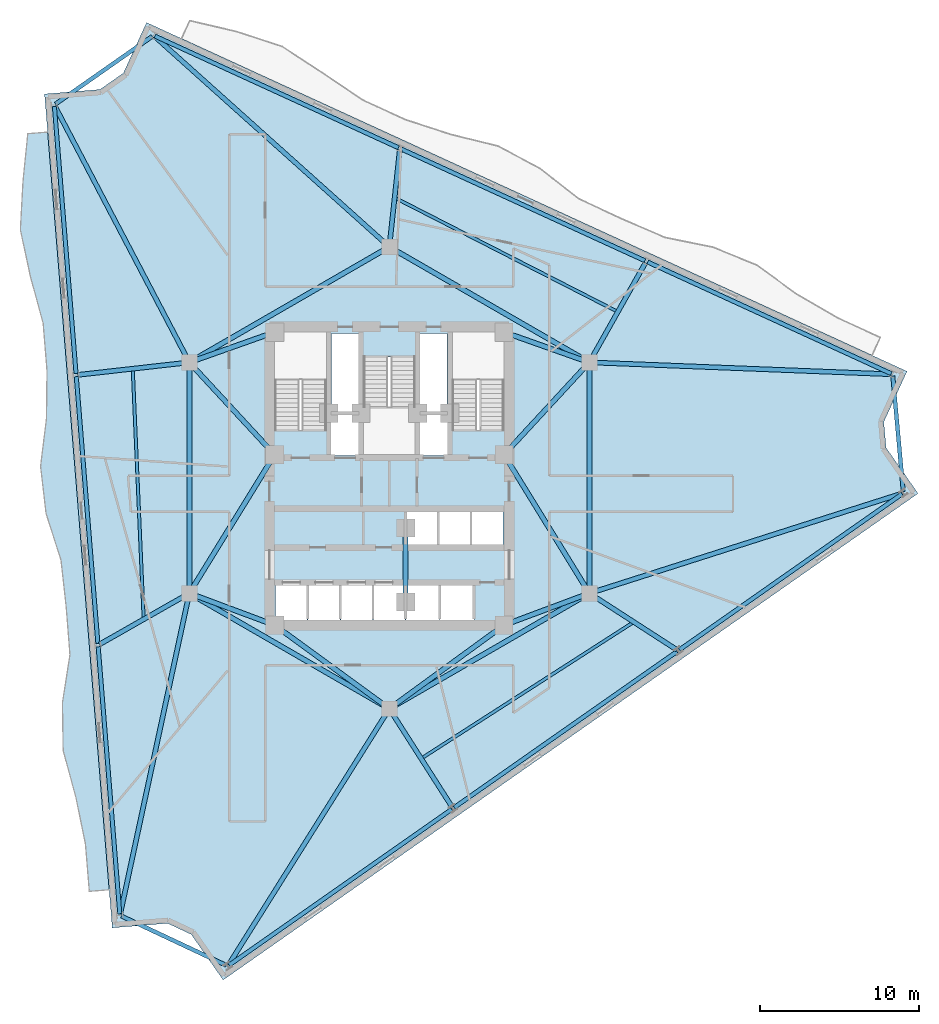
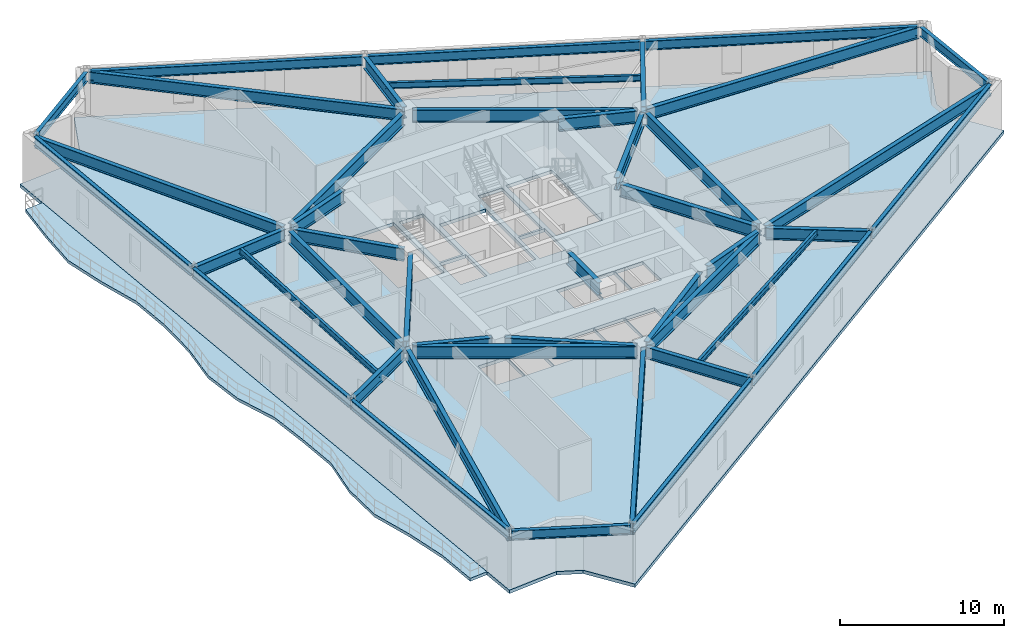
# One storey, part 3 of 10: 44 beams, 2 slabs.
"""IFC4 building model written with IfcOpenShell, lengths in metres."""

from ifc_helpers import new_model, si_unit, direction, frame, origin, origin_2d, place, context, subcontext, project, spatial, polyline, i_section, outline, extrude, material, layer, layer_set, material_profile, profile_set, type_object, element, save


model = new_model("IFC4")

# Units and contexts
model_context = context("Model", 3, precision=1e-05, world=origin(), true_north=direction((0.0, 1.0)))
body_context = subcontext(model_context, "Body", "Model", "MODEL_VIEW")
ifc_project = project(units=[si_unit("LENGTHUNIT", "METRE"), si_unit("AREAUNIT", "SQUARE_METRE"), si_unit("VOLUMEUNIT", "CUBIC_METRE"), si_unit("PLANEANGLEUNIT", "RADIAN"), si_unit("MASSUNIT", "GRAM", prefix="KILO")], contexts=[model_context])

# Site, building, storey
site_placement = place(None, origin())
site = spatial("IfcSite", under=ifc_project, at=site_placement, CompositionType="ELEMENT")
building_placement = place(site_placement, origin())
building = spatial("IfcBuilding", under=site, at=building_placement, Name="Apsidion Concourse Tower", CompositionType="ELEMENT")
storey_placement = place(building_placement, frame((0.0, 0.0, 202.39990234375)))
storey = spatial("IfcBuildingStorey", under=building, at=storey_placement, Name="L47", CompositionType="ELEMENT", Elevation=202.39990234375)

# Beams
ifc_material_1 = material(Name="Structural steel ASTM A992 Grade 50", Category="steel")
ifc_material_profile_1 = material_profile(ifc_material_1, i_section(OverallWidth=0.19091796875, OverallDepth=0.45703125, WebThickness=0.009033203125, FlangeThickness=0.014404296875, at=origin_2d()), Name="W18X50")
ifc_profile_set_1 = profile_set([ifc_material_profile_1], Name="Structural steel ASTM A992 Grade 50")
beam_type_1 = type_object("IfcBeamType", Name="BM-FL-W18", PredefinedType="BEAM", material=ifc_profile_set_1)
beam_1_placement = place(storey_placement, frame((-16.11181640625, 6.8505859375, 3.62158203125), z_axis=(0.043631006422, -0.999047714215, 0.0), x_axis=(0.999047714215, 0.043631006422, 0.0)))
element("IfcBeam", 1, at=beam_1_placement, inside=storey, type_object=beam_type_1, Name="L47 Secondary Floor Beam SEC-F1", PredefinedType="BEAM", context=body_context, shape_type="SweptSolid", body=[
    extrude(i_section(OverallWidth=0.19091796875, OverallDepth=0.45703125, WebThickness=0.009033203125, FlangeThickness=0.014404296875, at=origin_2d()), origin(), (0.0, 0.0, 1.0), 15.745849609375),
])
beam_2_placement = place(storey_placement, frame((1.998291015625, -17.62744140625, 3.62158203125), z_axis=(0.841372392943, 0.540455822796, 0.0), x_axis=(-0.540455822796, 0.841372392943, 0.0)))
element("IfcBeam", 2, at=beam_2_placement, inside=storey, type_object=beam_type_1, Name="L47 Secondary Floor Beam SEC-F2", PredefinedType="BEAM", context=body_context, shape_type="SweptSolid", body=[
    extrude(i_section(OverallWidth=0.19091796875, OverallDepth=0.45703125, WebThickness=0.009033203125, FlangeThickness=0.014404296875, at=origin_2d()), origin(), (0.0, 0.0, 1.0), 15.866943359375),
])
beam_3_placement = place(storey_placement, frame((14.345947265625, 10.4208984375, 3.62158203125), z_axis=(-0.89021964365, 0.455531542332, 0.0), x_axis=(-0.455531542332, -0.89021964365, 0.0)))
element("IfcBeam", 3, at=beam_3_placement, inside=storey, type_object=beam_type_1, Name="L47 Secondary Floor Beam SEC-F3", PredefinedType="BEAM", context=body_context, shape_type="SweptSolid", body=[
    extrude(i_section(OverallWidth=0.19091796875, OverallDepth=0.45703125, WebThickness=0.009033203125, FlangeThickness=0.014404296875, at=origin_2d()), origin(), (0.0, 0.0, 1.0), 15.742431640625),
])
ifc_material_profile_2 = material_profile(ifc_material_1, i_section(OverallWidth=0.2919921875, OverallDepth=0.85888671875, WebThickness=0.01708984375, FlangeThickness=0.031005859375, at=origin_2d()), Name="W33X169")
ifc_profile_set_2 = profile_set([ifc_material_profile_2], Name="Structural steel ASTM A992 Grade 50")
beam_type_2 = type_object("IfcBeamType", Name="BM-G-W33", PredefinedType="USERDEFINED", material=ifc_profile_set_2)
beam_4_placement = place(storey_placement, frame((-12.662109375, 7.44482421875, 3.420654296875), z_axis=(-0.464502454228, 0.885571832217, 0.0), x_axis=(-0.885571832217, -0.464502454228, 0.0)))
element("IfcBeam", 4, at=beam_4_placement, inside=storey, type_object=beam_type_2, Name="L47 Radial Floor Girder RAD-01", ObjectType="GIRDER", PredefinedType="USERDEFINED", context=body_context, shape_type="SweptSolid", body=[
    extrude(i_section(OverallWidth=0.2919921875, OverallDepth=0.85888671875, WebThickness=0.01708984375, FlangeThickness=0.031005859375, at=origin_2d()), origin(), (0.0, 0.0, 1.0), 17.93115234375),
])
beam_5_placement = place(storey_placement, frame((-12.778564453125, 7.225341796875, 3.420654296875), z_axis=(-0.993738563009, -0.111730337821, 0.0), x_axis=(0.111730337821, -0.993738563009, 0.0)))
element("IfcBeam", 5, at=beam_5_placement, inside=storey, type_object=beam_type_2, Name="L47 Radial Floor Girder RAD-02", ObjectType="GIRDER", PredefinedType="USERDEFINED", context=body_context, shape_type="SweptSolid", body=[
    extrude(i_section(OverallWidth=0.2919921875, OverallDepth=0.85888671875, WebThickness=0.01708984375, FlangeThickness=0.031005859375, at=origin_2d()), origin(), (0.0, 0.0, 1.0), 6.828369140625),
])
beam_6_placement = place(storey_placement, frame((-12.751220703125, -7.35888671875, 3.420654296875), z_axis=(-0.869137581248, -0.494570384134, 0.0), x_axis=(0.494570384134, -0.869137581248, 0.0)))
element("IfcBeam", 6, at=beam_6_placement, inside=storey, type_object=beam_type_2, Name="L47 Radial Floor Girder RAD-03", ObjectType="GIRDER", PredefinedType="USERDEFINED", context=body_context, shape_type="SweptSolid", body=[
    extrude(i_section(OverallWidth=0.2919921875, OverallDepth=0.85888671875, WebThickness=0.01708984375, FlangeThickness=0.031005859375, at=origin_2d()), origin(), (0.0, 0.0, 1.0), 6.272216796875),
])
beam_7_placement = place(storey_placement, frame((-12.606201171875, -7.465087890625, 3.420654296875), z_axis=(-0.210551493457, -0.97758276816, 0.0), x_axis=(0.97758276816, -0.210551493457, 0.0)))
element("IfcBeam", 7, at=beam_7_placement, inside=storey, type_object=beam_type_2, Name="L47 Radial Floor Girder RAD-04", ObjectType="GIRDER", PredefinedType="USERDEFINED", context=body_context, shape_type="SweptSolid", body=[
    extrude(i_section(OverallWidth=0.2919921875, OverallDepth=0.85888671875, WebThickness=0.01708984375, FlangeThickness=0.031005859375, at=origin_2d()), origin(), (0.0, 0.0, 1.0), 20.365966796875),
])
beam_8_placement = place(storey_placement, frame((-0.116943359375, -14.686279296875, 3.420654296875), z_axis=(-0.531745770751, -0.846904029562, 0.0), x_axis=(0.846904029562, -0.531745770751, 0.0)))
element("IfcBeam", 8, at=beam_8_placement, inside=storey, type_object=beam_type_2, Name="L47 Radial Floor Girder RAD-05", ObjectType="GIRDER", PredefinedType="USERDEFINED", context=body_context, shape_type="SweptSolid", body=[
    extrude(i_section(OverallWidth=0.2919921875, OverallDepth=0.85888671875, WebThickness=0.01708984375, FlangeThickness=0.031005859375, at=origin_2d()), origin(), (0.0, 0.0, 1.0), 18.7568359375),
])
beam_9_placement = place(storey_placement, frame((0.118408203125, -14.685302734375, 3.420654296875), z_axis=(0.538373682335, -0.842706222933, 0.0), x_axis=(0.842706222933, 0.538373682335, 0.0)))
element("IfcBeam", 9, at=beam_9_placement, inside=storey, type_object=beam_type_2, Name="L47 Radial Floor Girder RAD-06", ObjectType="GIRDER", PredefinedType="USERDEFINED", context=body_context, shape_type="SweptSolid", body=[
    extrude(i_section(OverallWidth=0.2919921875, OverallDepth=0.85888671875, WebThickness=0.01708984375, FlangeThickness=0.031005859375, at=origin_2d()), origin(), (0.0, 0.0, 1.0), 7.102783203125),
])
beam_10_placement = place(storey_placement, frame((12.744873046875, -7.369384765625, 3.420654296875), z_axis=(0.839870608356, -0.542786662714, 0.0), x_axis=(0.542786662714, 0.839870608356, 0.0)))
element("IfcBeam", 10, at=beam_10_placement, inside=storey, type_object=beam_type_2, Name="L47 Radial Floor Girder RAD-07", ObjectType="GIRDER", PredefinedType="USERDEFINED", context=body_context, shape_type="SweptSolid", body=[
    extrude(i_section(OverallWidth=0.2919921875, OverallDepth=0.85888671875, WebThickness=0.01708984375, FlangeThickness=0.031005859375, at=origin_2d()), origin(), (0.0, 0.0, 1.0), 6.319580078125),
])
beam_11_placement = place(storey_placement, frame((12.76953125, -7.18310546875, 3.420654296875), z_axis=(0.952593847726, 0.304244903449, 0.0), x_axis=(-0.304244903449, 0.952593847726, 0.0)))
element("IfcBeam", 11, at=beam_11_placement, inside=storey, type_object=beam_type_2, Name="L47 Radial Floor Girder RAD-08", ObjectType="GIRDER", PredefinedType="USERDEFINED", context=body_context, shape_type="SweptSolid", body=[
    extrude(i_section(OverallWidth=0.2919921875, OverallDepth=0.85888671875, WebThickness=0.01708984375, FlangeThickness=0.031005859375, at=origin_2d()), origin(), (0.0, 0.0, 1.0), 20.378173828125),
])
beam_12_placement = place(storey_placement, frame((12.77978515625, 7.2412109375, 3.420654296875), z_axis=(0.999223835847, -0.039391951902, 0.0), x_axis=(0.039391951902, 0.999223835847, 0.0)))
element("IfcBeam", 12, at=beam_12_placement, inside=storey, type_object=beam_type_2, Name="L47 Radial Floor Girder RAD-09", ObjectType="GIRDER", PredefinedType="USERDEFINED", context=body_context, shape_type="SweptSolid", body=[
    extrude(i_section(OverallWidth=0.2919921875, OverallDepth=0.85888671875, WebThickness=0.01708984375, FlangeThickness=0.031005859375, at=origin_2d()), origin(), (0.0, 0.0, 1.0), 18.73583984375),
])
beam_13_placement = place(storey_placement, frame((12.66796875, 7.441650390625, 3.420654296875), z_axis=(0.4907642116, 0.871292424283, 0.0), x_axis=(-0.871292424283, 0.4907642116, 0.0)))
element("IfcBeam", 13, at=beam_13_placement, inside=storey, type_object=beam_type_2, Name="L47 Radial Floor Girder RAD-10", ObjectType="GIRDER", PredefinedType="USERDEFINED", context=body_context, shape_type="SweptSolid", body=[
    extrude(i_section(OverallWidth=0.2919921875, OverallDepth=0.85888671875, WebThickness=0.01708984375, FlangeThickness=0.031005859375, at=origin_2d()), origin(), (0.0, 0.0, 1.0), 6.95849609375),
])
beam_14_placement = place(storey_placement, frame((0.0234375, 14.71875, 3.420654296875), z_axis=(0.106642710953, 0.994297406313, 0.0), x_axis=(-0.994297406313, 0.106642710953, 0.0)))
element("IfcBeam", 14, at=beam_14_placement, inside=storey, type_object=beam_type_2, Name="L47 Radial Floor Girder RAD-11", ObjectType="GIRDER", PredefinedType="USERDEFINED", context=body_context, shape_type="SweptSolid", body=[
    extrude(i_section(OverallWidth=0.2919921875, OverallDepth=0.85888671875, WebThickness=0.01708984375, FlangeThickness=0.031005859375, at=origin_2d()), origin(), (0.0, 0.0, 1.0), 5.899658203125),
])
beam_15_placement = place(storey_placement, frame((-0.163818359375, 14.64697265625, 3.420654296875), z_axis=(-0.74450463884, 0.667617287632, 0.0), x_axis=(-0.667617287632, -0.74450463884, 0.0)))
element("IfcBeam", 15, at=beam_15_placement, inside=storey, type_object=beam_type_2, Name="L47 Radial Floor Girder RAD-12", ObjectType="GIRDER", PredefinedType="USERDEFINED", context=body_context, shape_type="SweptSolid", body=[
    extrude(i_section(OverallWidth=0.2919921875, OverallDepth=0.85888671875, WebThickness=0.01708984375, FlangeThickness=0.031005859375, at=origin_2d()), origin(), (0.0, 0.0, 1.0), 19.566162109375),
])
ifc_material_profile_3 = material_profile(ifc_material_1, i_section(OverallWidth=0.31005859375, OverallDepth=0.931884765625, WebThickness=0.02099609375, FlangeThickness=0.034423828125, at=origin_2d()), Name="W36X210")
ifc_profile_set_3 = profile_set([ifc_material_profile_3], Name="Structural steel ASTM A992 Grade 50")
beam_type_3 = type_object("IfcBeamType", Name="BM-G-W36", PredefinedType="USERDEFINED", material=ifc_profile_set_3)
beam_16_placement = place(storey_placement, frame((-12.185302734375, -7.389892578125, 3.384033203125), z_axis=(0.936913021145, -0.349562570664, 0.0), x_axis=(0.349562570664, 0.936913021145, 0.0)))
element("IfcBeam", 16, at=beam_16_placement, inside=storey, type_object=beam_type_3, Name="L47 Core Coupling Girder IC1-SC1", ObjectType="GIRDER", PredefinedType="USERDEFINED", context=body_context, shape_type="SweptSolid", body=[
    extrude(i_section(OverallWidth=0.31005859375, OverallDepth=0.931884765625, WebThickness=0.02099609375, FlangeThickness=0.034423828125, at=origin_2d()), origin(), (0.0, 0.0, 1.0), 4.921142578125),
])
beam_17_placement = place(storey_placement, frame((-12.35009765625, -6.909423828125, 3.384033203125), z_axis=(0.524524009763, 0.851395656074, 0.0), x_axis=(-0.851395656074, 0.524524009763, 0.0)))
element("IfcBeam", 17, at=beam_17_placement, inside=storey, type_object=beam_type_3, Name="L47 Core Coupling Girder IC1-SC6", ObjectType="GIRDER", PredefinedType="USERDEFINED", context=body_context, shape_type="SweptSolid", body=[
    extrude(i_section(OverallWidth=0.31005859375, OverallDepth=0.931884765625, WebThickness=0.02099609375, FlangeThickness=0.034423828125, at=origin_2d()), origin(), (0.0, 0.0, 1.0), 9.41845703125),
])
beam_18_placement = place(storey_placement, frame((12.185302734375, -7.389892578125, 3.384033203125), z_axis=(-0.936913021145, -0.349562570664, 0.0), x_axis=(0.349562570664, -0.936913021145, 0.0)))
element("IfcBeam", 18, at=beam_18_placement, inside=storey, type_object=beam_type_3, Name="L47 Core Coupling Girder IC2-SC2", ObjectType="GIRDER", PredefinedType="USERDEFINED", context=body_context, shape_type="SweptSolid", body=[
    extrude(i_section(OverallWidth=0.31005859375, OverallDepth=0.931884765625, WebThickness=0.02099609375, FlangeThickness=0.034423828125, at=origin_2d()), origin(), (0.0, 0.0, 1.0), 4.921142578125),
])
beam_19_placement = place(storey_placement, frame((12.35009765625, -6.909423828125, 3.384033203125), z_axis=(-0.524524009763, 0.851395656074, 0.0), x_axis=(-0.851395656074, -0.524524009763, 0.0)))
element("IfcBeam", 19, at=beam_19_placement, inside=storey, type_object=beam_type_3, Name="L47 Core Coupling Girder IC2-SC3", ObjectType="GIRDER", PredefinedType="USERDEFINED", context=body_context, shape_type="SweptSolid", body=[
    extrude(i_section(OverallWidth=0.31005859375, OverallDepth=0.931884765625, WebThickness=0.02099609375, FlangeThickness=0.034423828125, at=origin_2d()), origin(), (0.0, 0.0, 1.0), 9.41845703125),
])
beam_20_placement = place(storey_placement, frame((12.28857421875, 6.956298828125, 3.384033203125), z_axis=(-0.678712876106, -0.73440372535, 0.0), x_axis=(0.73440372535, -0.678712876106, 0.0)))
element("IfcBeam", 20, at=beam_20_placement, inside=storey, type_object=beam_type_3, Name="L47 Core Coupling Girder IC3-SC3", ObjectType="GIRDER", PredefinedType="USERDEFINED", context=body_context, shape_type="SweptSolid", body=[
    extrude(i_section(OverallWidth=0.31005859375, OverallDepth=0.931884765625, WebThickness=0.02099609375, FlangeThickness=0.034423828125, at=origin_2d()), origin(), (0.0, 0.0, 1.0), 7.097412109375),
])
beam_21_placement = place(storey_placement, frame((12.18310546875, 7.383544921875, 3.384033203125), z_axis=(-0.942533844539, 0.334110688094, 0.0), x_axis=(-0.334110688094, -0.942533844539, 0.0)))
element("IfcBeam", 21, at=beam_21_placement, inside=storey, type_object=beam_type_3, Name="L47 Core Coupling Girder IC3-SC4", ObjectType="GIRDER", PredefinedType="USERDEFINED", context=body_context, shape_type="SweptSolid", body=[
    extrude(i_section(OverallWidth=0.31005859375, OverallDepth=0.931884765625, WebThickness=0.02099609375, FlangeThickness=0.034423828125, at=origin_2d()), origin(), (0.0, 0.0, 1.0), 4.886962890625),
])
beam_22_placement = place(storey_placement, frame((-12.28857421875, 6.956298828125, 3.384033203125), z_axis=(0.678712876106, -0.73440372535, 0.0), x_axis=(0.73440372535, 0.678712876106, 0.0)))
element("IfcBeam", 22, at=beam_22_placement, inside=storey, type_object=beam_type_3, Name="L47 Core Coupling Girder IC5-SC6", ObjectType="GIRDER", PredefinedType="USERDEFINED", context=body_context, shape_type="SweptSolid", body=[
    extrude(i_section(OverallWidth=0.31005859375, OverallDepth=0.931884765625, WebThickness=0.02099609375, FlangeThickness=0.034423828125, at=origin_2d()), origin(), (0.0, 0.0, 1.0), 7.097412109375),
])
beam_23_placement = place(storey_placement, frame((-12.18310546875, 7.383544921875, 3.384033203125), z_axis=(0.942533844539, 0.334110688094, 0.0), x_axis=(-0.334110688094, 0.942533844539, 0.0)))
element("IfcBeam", 23, at=beam_23_placement, inside=storey, type_object=beam_type_3, Name="L47 Core Coupling Girder IC5-SC5", ObjectType="GIRDER", PredefinedType="USERDEFINED", context=body_context, shape_type="SweptSolid", body=[
    extrude(i_section(OverallWidth=0.31005859375, OverallDepth=0.931884765625, WebThickness=0.02099609375, FlangeThickness=0.034423828125, at=origin_2d()), origin(), (0.0, 0.0, 1.0), 4.886962890625),
])
for number, where, z_axis, x_axis, name in (
    (24, (-0.3232421875, -14.264404296875, 3.384033203125), (-0.807993498909, 0.589191399905, 0.0), (-0.589191399905, -0.807993498909, 0.0), "L47 Core Coupling Girder IC6-SC1"),
    (25, (0.3232421875, -14.264404296875, 3.384033203125), (0.807993498909, 0.589191399905, 0.0), (-0.589191399905, 0.807993498909, 0.0), "L47 Core Coupling Girder IC6-SC2"),
):
    element("IfcBeam", number, at=place(storey_placement, frame(where, z_axis=z_axis, x_axis=x_axis)), inside=storey, type_object=beam_type_3, Name=name, ObjectType="GIRDER", PredefinedType="USERDEFINED", context=body_context, shape_type="SweptSolid", body=[
        extrude(i_section(OverallWidth=0.31005859375, OverallDepth=0.931884765625, WebThickness=0.02099609375, FlangeThickness=0.034423828125, at=origin_2d()), origin(), (0.0, 0.0, 1.0), 8.11083984375),
    ])
beam_24_placement = place(storey_placement, frame((-12.56005859375, -6.85009765625, 3.384033203125), z_axis=(0.0, 1.0, 0.0), x_axis=(-1.0, 0.0, 0.0)))
element("IfcBeam", 26, at=beam_24_placement, inside=storey, type_object=beam_type_3, Name="L47 Core Coupling Girder IC1-IC5", ObjectType="GIRDER", PredefinedType="USERDEFINED", context=body_context, shape_type="SweptSolid", body=[
    extrude(i_section(OverallWidth=0.31005859375, OverallDepth=0.931884765625, WebThickness=0.02099609375, FlangeThickness=0.034423828125, at=origin_2d()), origin(), (0.0, 0.0, 1.0), 13.7001953125),
])
for number, where, z_axis, x_axis, name in (
    (27, (-12.213623046875, 7.449951171875, 3.384033203125), (0.866070471464, 0.499921932364, 0.0), (-0.499921932364, 0.866070471464, 0.0), "L47 Core Coupling Girder IC5-IC4"),
    (28, (0.346435546875, 14.300048828125, 3.384033203125), (0.866070471464, -0.499921932364, 0.0), (0.499921932364, 0.866070471464, 0.0), "L47 Core Coupling Girder IC4-IC3"),
):
    element("IfcBeam", number, at=place(storey_placement, frame(where, z_axis=z_axis, x_axis=x_axis)), inside=storey, type_object=beam_type_3, Name=name, ObjectType="GIRDER", PredefinedType="USERDEFINED", context=body_context, shape_type="SweptSolid", body=[
        extrude(i_section(OverallWidth=0.31005859375, OverallDepth=0.931884765625, WebThickness=0.02099609375, FlangeThickness=0.034423828125, at=origin_2d()), origin(), (0.0, 0.0, 1.0), 13.702392578125),
    ])
beam_25_placement = place(storey_placement, frame((12.56005859375, 6.85009765625, 3.384033203125), z_axis=(0.0, -1.0, 0.0), x_axis=(1.0, 0.0, 0.0)))
element("IfcBeam", 29, at=beam_25_placement, inside=storey, type_object=beam_type_3, Name="L47 Core Coupling Girder IC3-IC2", ObjectType="GIRDER", PredefinedType="USERDEFINED", context=body_context, shape_type="SweptSolid", body=[
    extrude(i_section(OverallWidth=0.31005859375, OverallDepth=0.931884765625, WebThickness=0.02099609375, FlangeThickness=0.034423828125, at=origin_2d()), origin(), (0.0, 0.0, 1.0), 13.7001953125),
])
for number, where, z_axis, x_axis, name in (
    (30, (12.213623046875, -7.449951171875, 3.384033203125), (-0.866070471464, -0.499921932364, 0.0), (0.499921932364, -0.866070471464, 0.0), "L47 Core Coupling Girder IC2-IC6"),
    (31, (-0.346435546875, -14.300048828125, 3.384033203125), (-0.866070471464, 0.499921932364, 0.0), (-0.499921932364, -0.866070471464, 0.0), "L47 Core Coupling Girder IC6-IC1"),
):
    element("IfcBeam", number, at=place(storey_placement, frame(where, z_axis=z_axis, x_axis=x_axis)), inside=storey, type_object=beam_type_3, Name=name, ObjectType="GIRDER", PredefinedType="USERDEFINED", context=body_context, shape_type="SweptSolid", body=[
        extrude(i_section(OverallWidth=0.31005859375, OverallDepth=0.931884765625, WebThickness=0.02099609375, FlangeThickness=0.034423828125, at=origin_2d()), origin(), (0.0, 0.0, 1.0), 13.702392578125),
    ])
beam_26_placement = place(storey_placement, frame((1.02490234375, -3.550048828125, 3.384033203125), z_axis=(0.0, -1.0, 0.0), x_axis=(1.0, 0.0, 0.0)))
element("IfcBeam", 32, at=beam_26_placement, inside=storey, type_object=beam_type_3, Name="L47 Core Coupling Girder CC5-CC6", ObjectType="GIRDER", PredefinedType="USERDEFINED", context=body_context, shape_type="SweptSolid", body=[
    extrude(i_section(OverallWidth=0.31005859375, OverallDepth=0.931884765625, WebThickness=0.02099609375, FlangeThickness=0.034423828125, at=origin_2d()), origin(), (0.0, 0.0, 1.0), 3.849853515625),
])
ifc_material_profile_4 = material_profile(ifc_material_1, i_section(OverallWidth=0.256103515625, OverallDepth=0.693115234375, WebThickness=0.014404296875, FlangeThickness=0.023681640625, at=origin_2d()), Name="W27X114")
ifc_profile_set_4 = profile_set([ifc_material_profile_4], Name="Structural steel ASTM A992 Grade 50")
beam_type_4 = type_object("IfcBeamType", Name="BM-SP-W27", PredefinedType="SPANDREL", material=ifc_profile_set_4)
for number, where, z_axis, x_axis, name in (
    (33, (-21.029541015625, 23.31298828125, 3.503662109375), (0.080745704709, -0.996734734607, 0.0), (0.996734734607, 0.080745704709, 0.0), "L47 Perimeter Spandrel Girder SP-01"),
    (34, (-19.655517578125, 6.351318359375, 3.503662109375), (0.080745704709, -0.996734734607, 0.0), (0.996734734607, 0.080745704709, 0.0), "L47 Perimeter Spandrel Girder SP-02"),
):
    element("IfcBeam", number, at=place(storey_placement, frame(where, z_axis=z_axis, x_axis=x_axis)), inside=storey, type_object=beam_type_4, Name=name, PredefinedType="SPANDREL", context=body_context, shape_type="SweptSolid", body=[
        extrude(i_section(OverallWidth=0.256103515625, OverallDepth=0.693115234375, WebThickness=0.014404296875, FlangeThickness=0.023681640625, at=origin_2d()), origin(), (0.0, 0.0, 1.0), 16.817138671875),
    ])
beam_27_placement = place(storey_placement, frame((-18.281494140625, -10.610107421875, 3.503662109375), z_axis=(0.080744536336, -0.996734829256, 0.0), x_axis=(0.996734829256, 0.080744536336, 0.0)))
element("IfcBeam", 35, at=beam_27_placement, inside=storey, type_object=beam_type_4, Name="L47 Perimeter Spandrel Girder SP-03", PredefinedType="SPANDREL", context=body_context, shape_type="SweptSolid", body=[
    extrude(i_section(OverallWidth=0.256103515625, OverallDepth=0.693115234375, WebThickness=0.014404296875, FlangeThickness=0.023681640625, at=origin_2d()), origin(), (0.0, 0.0, 1.0), 16.8173828125),
])
beam_28_placement = place(storey_placement, frame((-16.824951171875, -27.514892578125, 3.503662109375), z_axis=(0.904961486734, -0.425493487057, 0.0), x_axis=(0.425493487057, 0.904961486734, 0.0)))
element("IfcBeam", 36, at=beam_28_placement, inside=storey, type_object=beam_type_4, Name="L47 Perimeter Spandrel Girder SP-04", PredefinedType="SPANDREL", context=body_context, shape_type="SweptSolid", body=[
    extrude(i_section(OverallWidth=0.256103515625, OverallDepth=0.693115234375, WebThickness=0.014404296875, FlangeThickness=0.023681640625, at=origin_2d()), origin(), (0.0, 0.0, 1.0), 7.282470703125),
])
beam_29_placement = place(storey_placement, frame((-10.06201171875, -30.598876953125, 3.503662109375), z_axis=(0.819150571533, 0.573578539659, 0.0), x_axis=(-0.573578539659, 0.819150571533, 0.0)))
element("IfcBeam", 37, at=beam_29_placement, inside=storey, type_object=beam_type_4, Name="L47 Perimeter Spandrel Girder SP-05", PredefinedType="SPANDREL", context=body_context, shape_type="SweptSolid", body=[
    extrude(i_section(OverallWidth=0.256103515625, OverallDepth=0.693115234375, WebThickness=0.014404296875, FlangeThickness=0.023681640625, at=origin_2d()), origin(), (0.0, 0.0, 1.0), 17.06201171875),
])
beam_30_placement = place(storey_placement, frame((4.078125, -20.69775390625, 3.503662109375), z_axis=(0.81915527902, 0.573571816649, 0.0), x_axis=(-0.573571816649, 0.81915527902, 0.0)))
element("IfcBeam", 38, at=beam_30_placement, inside=storey, type_object=beam_type_4, Name="L47 Perimeter Spandrel Girder SP-06", PredefinedType="SPANDREL", context=body_context, shape_type="SweptSolid", body=[
    extrude(i_section(OverallWidth=0.256103515625, OverallDepth=0.693115234375, WebThickness=0.014404296875, FlangeThickness=0.023681640625, at=origin_2d()), origin(), (0.0, 0.0, 1.0), 17.062255859375),
])
beam_31_placement = place(storey_placement, frame((18.218505859375, -10.79638671875, 3.503662109375), z_axis=(0.81916200197, 0.573562215046, 0.0), x_axis=(-0.573562215046, 0.81916200197, 0.0)))
element("IfcBeam", 39, at=beam_31_placement, inside=storey, type_object=beam_type_4, Name="L47 Perimeter Spandrel Girder SP-07", PredefinedType="SPANDREL", context=body_context, shape_type="SweptSolid", body=[
    extrude(i_section(OverallWidth=0.256103515625, OverallDepth=0.693115234375, WebThickness=0.014404296875, FlangeThickness=0.023681640625, at=origin_2d()), origin(), (0.0, 0.0, 1.0), 17.06201171875),
])
beam_32_placement = place(storey_placement, frame((32.267822265625, -0.853271484375, 3.503662109375), z_axis=(-0.090345320994, 0.99591049948, 0.0), x_axis=(-0.99591049948, -0.090345320994, 0.0)))
element("IfcBeam", 40, at=beam_32_placement, inside=storey, type_object=beam_type_4, Name="L47 Perimeter Spandrel Girder SP-08", PredefinedType="SPANDREL", context=body_context, shape_type="SweptSolid", body=[
    extrude(i_section(OverallWidth=0.256103515625, OverallDepth=0.693115234375, WebThickness=0.014404296875, FlangeThickness=0.023681640625, at=origin_2d()), origin(), (0.0, 0.0, 1.0), 7.28271484375),
])
beam_33_placement = place(storey_placement, frame((31.510009765625, 6.541015625, 3.503662109375), z_axis=(-0.909009828689, 0.416774676949, 0.0), x_axis=(-0.416774676949, -0.909009828689, 0.0)))
element("IfcBeam", 41, at=beam_33_placement, inside=storey, type_object=beam_type_4, Name="L47 Perimeter Spandrel Girder SP-09", PredefinedType="SPANDREL", context=body_context, shape_type="SweptSolid", body=[
    extrude(i_section(OverallWidth=0.256103515625, OverallDepth=0.693115234375, WebThickness=0.014404296875, FlangeThickness=0.023681640625, at=origin_2d()), origin(), (0.0, 0.0, 1.0), 16.8173828125),
])
beam_34_placement = place(storey_placement, frame((16.041015625, 13.63330078125, 3.503662109375), z_axis=(-0.909007306983, 0.416780176893, 0.0), x_axis=(-0.416780176893, -0.909007306983, 0.0)))
element("IfcBeam", 42, at=beam_34_placement, inside=storey, type_object=beam_type_4, Name="L47 Perimeter Spandrel Girder SP-10", PredefinedType="SPANDREL", context=body_context, shape_type="SweptSolid", body=[
    extrude(i_section(OverallWidth=0.256103515625, OverallDepth=0.693115234375, WebThickness=0.014404296875, FlangeThickness=0.023681640625, at=origin_2d()), origin(), (0.0, 0.0, 1.0), 16.817138671875),
])
beam_35_placement = place(storey_placement, frame((0.572509765625, 20.725830078125, 3.503662109375), z_axis=(-0.909009828689, 0.416774676949, 0.0), x_axis=(-0.416774676949, -0.909009828689, 0.0)))
element("IfcBeam", 43, at=beam_35_placement, inside=storey, type_object=beam_type_4, Name="L47 Perimeter Spandrel Girder SP-11", PredefinedType="SPANDREL", context=body_context, shape_type="SweptSolid", body=[
    extrude(i_section(OverallWidth=0.256103515625, OverallDepth=0.693115234375, WebThickness=0.014404296875, FlangeThickness=0.023681640625, at=origin_2d()), origin(), (0.0, 0.0, 1.0), 16.8173828125),
])
beam_36_placement = place(storey_placement, frame((-14.887451171875, 27.71923828125, 3.503662109375), z_axis=(-0.819157596458, -0.57356850695, 0.0), x_axis=(0.57356850695, -0.819157596458, 0.0)))
element("IfcBeam", 44, at=beam_36_placement, inside=storey, type_object=beam_type_4, Name="L47 Perimeter Spandrel Girder SP-12", PredefinedType="SPANDREL", context=body_context, shape_type="SweptSolid", body=[
    extrude(i_section(OverallWidth=0.256103515625, OverallDepth=0.693115234375, WebThickness=0.014404296875, FlangeThickness=0.023681640625, at=origin_2d()), origin(), (0.0, 0.0, 1.0), 7.407958984375),
])

# Slabs
ifc_material_2 = material(Name="Concrete C50/60", Category="concrete")
ifc_layer_1 = layer(ifc_material_2, 0.219970703125)
ifc_layer_set_1 = layer_set([ifc_layer_1], Name="Concrete C50/60")
slab_type_1 = type_object("IfcSlabType", Name="SL-BAL-220", PredefinedType="FLOOR", material=ifc_layer_set_1)
slab_1_placement = place(storey_placement, frame((0.0, 0.0, -0.219970703125)))
element("IfcSlab", 45, at=slab_1_placement, inside=storey, type_object=slab_type_1, Name="L47 Face 1 Rippling Balcony Slab", PredefinedType="FLOOR", context=body_context, shape_type="SweptSolid", body=[
    extrude(outline(polyline([(-21.455810546875, 21.7080078125), (-21.21435546875, 18.73486328125), (-20.972900390625, 15.76171875), (-20.7314453125, 12.788330078125), (-20.489990234375, 9.815185546875), (-20.248779296875, 6.842041015625), (-20.00732421875, 3.868896484375), (-19.765869140625, 0.8955078125), (-19.5244140625, -2.07763671875), (-19.283203125, -5.05078125), (-19.041748046875, -8.024169921875), (-18.80029296875, -10.997314453125), (-18.558837890625, -13.970458984375), (-18.3173828125, -16.943603515625), (-18.075927734375, -19.9169921875), (-17.834716796875, -22.89013671875), (-17.59326171875, -25.86328125), (-18.839111328125, -25.96435546875), (-19.08056640625, -22.9912109375), (-19.681396484375, -20.047119140625), (-20.480224609375, -17.119384765625), (-20.523681640625, -14.1298828125), (-20.053955078125, -11.09912109375), (-20.28759765625, -8.125244140625), (-20.616455078125, -5.1591796875), (-21.55126953125, -2.2421875), (-21.897216796875, 0.722412109375), (-21.5263671875, 3.745361328125), (-21.49462890625, 6.74072265625), (-21.736083984375, 9.714111328125), (-22.536376953125, 12.641845703125), (-23.165771484375, 15.58349609375), (-23.003173828125, 18.589599609375), (-22.70166015625, 21.606689453125), (-21.455810546875, 21.7080078125)])), origin(), (0.0, 0.0, 1.0), 0.219970703125),
])
ifc_layer_2 = layer(ifc_material_2, 0.25)
ifc_layer_set_2 = layer_set([ifc_layer_2], Name="Concrete C50/60")
slab_type_2 = type_object("IfcSlabType", Name="SL-FLR-250", PredefinedType="FLOOR", material=ifc_layer_set_2)
slab_2_placement = place(storey_placement, frame((0.0, 0.0, -0.25)))
element("IfcSlab", 46, at=slab_2_placement, inside=storey, type_object=slab_type_2, Name="L47 Structural Floor Slab", PredefinedType="FLOOR", context=body_context, shape_type="SweptSolid", body=[
    extrude(outline(polyline([(-15.241943359375, 28.5869140625), (-16.6982421875, 25.41259765625), (-18.1689453125, 24.3828125), (-21.64990234375, 24.10009765625), (-17.39892578125, -28.25537109375), (-13.91796875, -27.972900390625), (-12.436279296875, -28.669189453125), (-10.43310546875, -31.530029296875), (33.197021484375, -0.97998046875), (31.19384765625, 1.880859375), (31.0458984375, 3.51123046875), (32.502197265625, 6.685791015625), (-15.241943359375, 28.5869140625)]), holes=[polyline([(-3.949951171875, 3.0), (-3.949951171875, 9.14990234375), (-7.199951171875, 9.14990234375), (-7.199951171875, 3.0), (-3.949951171875, 3.0)]), polyline([(7.199951171875, 3.0), (7.199951171875, 9.14990234375), (3.949951171875, 9.14990234375), (3.949951171875, 3.0), (7.199951171875, 3.0)]), polyline([(-1.625, 7.60009765625), (-1.625, 1.449951171875), (1.625, 1.449951171875), (1.625, 7.60009765625), (-1.625, 7.60009765625)]), polyline([(1.054931640625, -4.300048828125), (3.044921875, -4.300048828125), (3.044921875, -2.050048828125), (1.054931640625, -2.050048828125), (1.054931640625, -4.300048828125)]), polyline([(3.10498046875, -4.300048828125), (5.094970703125, -4.300048828125), (5.094970703125, -2.050048828125), (3.10498046875, -2.050048828125), (3.10498046875, -4.300048828125)]), polyline([(5.155029296875, -4.300048828125), (7.14501953125, -4.300048828125), (7.14501953125, -2.050048828125), (5.155029296875, -2.050048828125), (5.155029296875, -4.300048828125)]), polyline([(-7.14501953125, -8.949951171875), (-5.155029296875, -8.949951171875), (-5.155029296875, -6.64990234375), (-7.14501953125, -6.64990234375), (-7.14501953125, -8.949951171875)]), polyline([(-5.094970703125, -8.949951171875), (-3.10498046875, -8.949951171875), (-3.10498046875, -6.64990234375), (-5.094970703125, -6.64990234375), (-5.094970703125, -8.949951171875)]), polyline([(-3.044921875, -8.949951171875), (-1.054931640625, -8.949951171875), (-1.054931640625, -6.64990234375), (-3.044921875, -6.64990234375), (-3.044921875, -8.949951171875)]), polyline([(-0.9951171875, -8.949951171875), (0.9951171875, -8.949951171875), (0.9951171875, -6.64990234375), (-0.9951171875, -6.64990234375), (-0.9951171875, -8.949951171875)]), polyline([(1.044921875, -9.0), (3.155029296875, -9.0), (3.155029296875, -6.64990234375), (1.044921875, -6.64990234375), (1.044921875, -9.0)]), polyline([(3.195068359375, -9.0), (5.304931640625, -9.0), (5.304931640625, -6.64990234375), (3.195068359375, -6.64990234375), (3.195068359375, -9.0)]), polyline([(-3.7099609375, 1.39990234375), (-1.85009765625, 1.39990234375), (-1.85009765625, 4.0), (-3.7099609375, 4.0), (-3.7099609375, 1.39990234375)]), polyline([(1.85009765625, 1.39990234375), (3.7099609375, 1.39990234375), (3.7099609375, 4.0), (1.85009765625, 4.0), (1.85009765625, 1.39990234375)]), polyline([(-3.6201171875, 4.14990234375), (-1.93994140625, 4.14990234375), (-1.93994140625, 9.050048828125), (-3.6201171875, 9.050048828125), (-3.6201171875, 4.14990234375)]), polyline([(1.93994140625, 4.14990234375), (3.6201171875, 4.14990234375), (3.6201171875, 9.050048828125), (1.93994140625, 9.050048828125), (1.93994140625, 4.14990234375)])]), origin(), (0.0, 0.0, 1.0), 0.25),
])

save(model, "model.ifc")
